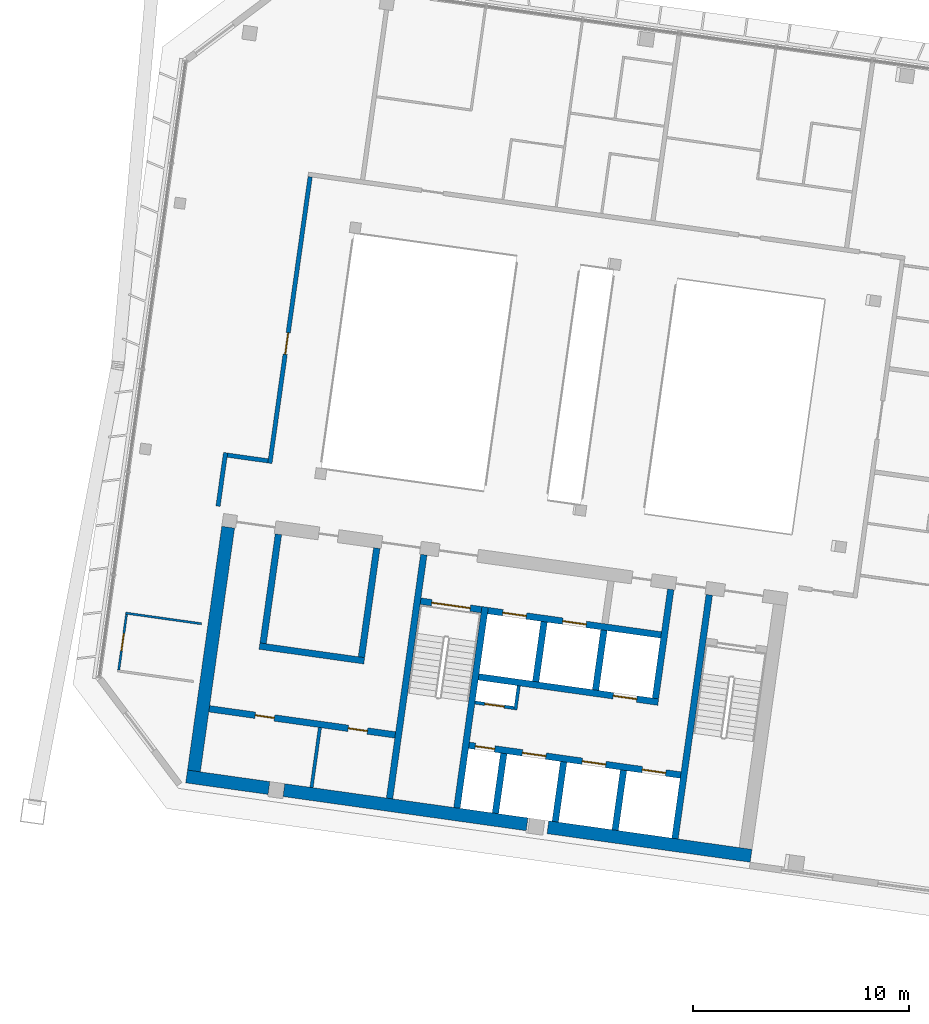
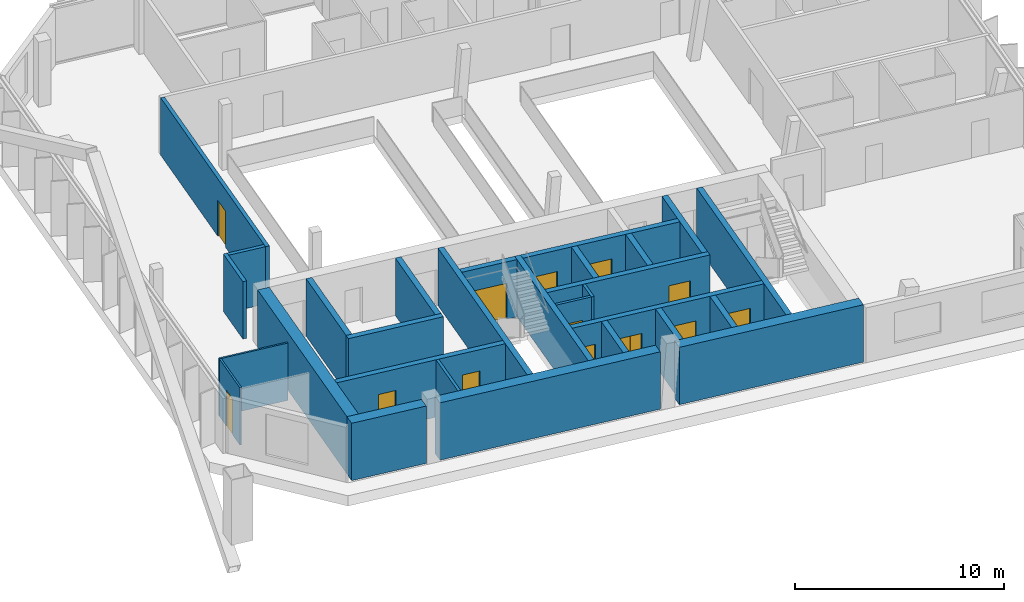
# One storey, part 11 of 19: 29 walls, 13 doors, 13 openings.
"""IFC4 building model written with IfcOpenShell, lengths in metres."""

from ifc_helpers import new_model, si_unit, direction, frame, frame_2d, origin, place, context, subcontext, project, spatial, rectangle, extrude, material, layer, layer_set, type_object, element, fill, save


model = new_model("IFC4")

# Units and contexts
model_context = context("Model", 3, precision=1e-05, world=origin(), true_north=direction((0.0, 1.0)))
body_context = subcontext(model_context, "Body", "Model", "MODEL_VIEW")
ifc_project = project(units=[si_unit("LENGTHUNIT", "METRE"), si_unit("AREAUNIT", "SQUARE_METRE"), si_unit("VOLUMEUNIT", "CUBIC_METRE"), si_unit("PLANEANGLEUNIT", "RADIAN"), si_unit("MASSUNIT", "GRAM", prefix="KILO")], contexts=[model_context])

# Site, building, storey
site_placement = place(None, origin())
site = spatial("IfcSite", under=ifc_project, at=site_placement, CompositionType="ELEMENT")
building_placement = place(site_placement, origin())
building = spatial("IfcBuilding", under=site, at=building_placement, Name="Mirante Cascada Hotel Towers", CompositionType="ELEMENT")
storey_placement = place(building_placement, frame((0.0, 0.0, 239.4)))
storey = spatial("IfcBuildingStorey", under=building, at=storey_placement, Name="L57", CompositionType="ELEMENT", Elevation=239.4)

# Wall
ifc_material_1 = material(Name="Fire-rated plasterboard on metal studs")
ifc_layer_1 = layer(ifc_material_1, 0.2)
ifc_layer_set_1 = layer_set([ifc_layer_1], Name="Compartment wall 200 EI 120")
wall_type_1 = type_object("IfcWallType", Name="Compartment wall 200 EI 120", PredefinedType="PARTITIONING", material=ifc_layer_set_1)
wall_1_placement = place(storey_placement, frame((-59.6861, -1.2613, 0.0), z_axis=(0.0, 0.0, 1.0), x_axis=(-0.9902701, 0.1391589, 0.0)))
element("IfcWall", 1, at=wall_1_placement, inside=storey, type_object=wall_type_1, Name="Wall 1-L57-06", PredefinedType="PARTITIONING", context=body_context, shape_type="SweptSolid", body=[
    extrude(rectangle(XDim=1.9, YDim=0.2, at=frame_2d((0.95, 0.0))), origin(), (0.0, 0.0, 1.0), 3.35),
])

# Wall, opening, door
wall_2_placement = place(storey_placement, frame((-57.7361, 11.8953, 0.0), z_axis=(0.0, 0.0, 1.0), x_axis=(-0.1391726, -0.9902681, 0.0)))
wall_2 = element("IfcWall", 2, at=wall_2_placement, inside=storey, type_object=wall_type_1, Name="Wall 1-L57-43", PredefinedType="PARTITIONING", context=body_context, shape_type="SweptSolid", body=[
    extrude(rectangle(XDim=13.3999, YDim=0.2, at=frame_2d((6.7, 0.0))), origin(), (0.0, 0.0, 1.0), 3.35),
])
opening_1_placement = place(wall_2_placement, frame((7.3, 0.0, 0.0)))
opening_1 = element("IfcOpeningElement", 3, at=opening_1_placement, cuts=wall_2, Name="Opening D1-L57-26", PredefinedType="OPENING", context=body_context, shape_type="SweptSolid", body=[
    extrude(rectangle(XDim=1.0, YDim=2.1, at=frame_2d((0.5, 1.05))), frame((0.0, 0.1, 0.0), z_axis=(0.0, -1.0, 0.0), x_axis=(1.0, 0.0, 0.0)), (0.0, 0.0, 1.0), 0.2),
])
ifc_material_2 = material(Name="Fire-rated timber door leaf", Category="wood")
door_type_1 = type_object("IfcDoorType", Name="Entrance door DG1 1000x2100 EI 60", OperationType="SINGLE_SWING_LEFT", PredefinedType="DOOR", material=ifc_material_2)
door_1_placement = place(opening_1_placement, frame((1.0, 0.0, 0.0), z_axis=(0.0, 0.0, 1.0), x_axis=(-1.0, 0.0, 0.0)))
door_1 = element("IfcDoor", 4, at=door_1_placement, inside=storey, type_object=door_type_1, Name="Door D1-L57-26", OperationType="SINGLE_SWING_RIGHT", OverallHeight=2.1, OverallWidth=1.0, PredefinedType="DOOR", context=body_context, shape_type="SweptSolid", body=[
    extrude(rectangle(XDim=1.0, YDim=2.1, at=frame_2d((0.5, 1.05))), frame((0.0, 0.025, 0.0), z_axis=(0.0, -1.0, 0.0), x_axis=(1.0, 0.0, 0.0)), (0.0, 0.0, 1.0), 0.05),
])
fill(opening_1, door_1)

# Walls
wall_3_placement = place(storey_placement, frame((-62.0006, -3.3596, 0.0), z_axis=(0.0, 0.0, 1.0), x_axis=(0.1391586, 0.9902701, 0.0)))
element("IfcWall", 5, at=wall_3_placement, inside=storey, type_object=wall_type_1, Name="Wall 1-L57-44", PredefinedType="PARTITIONING", context=body_context, shape_type="SweptSolid", body=[
    extrude(rectangle(XDim=2.5, YDim=0.2, at=frame_2d((1.25, 0.0))), origin(), (0.0, 0.0, 1.0), 3.35),
])
ifc_material_3 = material(Name="Masonry block", Category="masonry")
ifc_layer_2 = layer(ifc_material_3, 0.15)
ifc_layer_set_2 = layer_set([ifc_layer_2], Name="Core room partition 150 block EI 30")
wall_type_2 = type_object("IfcWallType", Name="Core room partition 150 block EI 30", PredefinedType="PARTITIONING", material=ifc_layer_set_2)
wall_4_placement = place(storey_placement, frame((-48.2295, -12.793, 0.0), z_axis=(0.0, 0.0, 1.0), x_axis=(0.1391935, 0.9902652, 0.0)))
element("IfcWall", 6, at=wall_4_placement, inside=storey, type_object=wall_type_2, Name="Core wall partition T1 L57 2", PredefinedType="PARTITIONING", context=body_context, shape_type="SweptSolid", body=[
    extrude(rectangle(XDim=1.1251, YDim=0.15, at=frame_2d((0.5626, 0.0))), origin(), (0.0, 0.0, 1.0), 3.35),
])

# Wall, opening, door
wall_5_placement = place(storey_placement, frame((-48.2933, -12.7083, 0.0), z_axis=(0.0, 0.0, 1.0), x_axis=(-0.990268, 0.1391734, 0.0)))
wall_5 = element("IfcWall", 7, at=wall_5_placement, inside=storey, type_object=wall_type_2, Name="Core wall partition T1 L57 3", PredefinedType="PARTITIONING", context=body_context, shape_type="SweptSolid", body=[
    extrude(rectangle(XDim=1.8251, YDim=0.15, at=frame_2d((0.9126, 0.0))), origin(), (0.0, 0.0, 1.0), 3.35),
])
opening_2_placement = place(wall_5_placement, frame((0.4625, 0.0, 0.0)))
opening_2 = element("IfcOpeningElement", 8, at=opening_2_placement, cuts=wall_5, Name="Opening D1-57-C15", PredefinedType="OPENING", context=body_context, shape_type="SweptSolid", body=[
    extrude(rectangle(XDim=0.9, YDim=2.1, at=frame_2d((0.45, 1.05))), frame((0.0, 0.075, 0.0), z_axis=(0.0, -1.0, 0.0), x_axis=(1.0, 0.0, 0.0)), (0.0, 0.0, 1.0), 0.15),
])
ifc_material_4 = material(Name="Hollow metal fire door leaf")
door_type_2 = type_object("IfcDoorType", Name="Fire door 900x2100 FD60", OperationType="NOTDEFINED", PredefinedType="DOOR", material=ifc_material_4)
door_2_placement = place(opening_2_placement, origin())
door_2 = element("IfcDoor", 9, at=door_2_placement, inside=storey, type_object=door_type_2, Name="Riser door T1 L57 15", OperationType="SINGLE_SWING_LEFT", OverallHeight=2.1, OverallWidth=0.9, PredefinedType="DOOR", context=body_context, shape_type="SweptSolid", body=[
    extrude(rectangle(XDim=0.9, YDim=2.1, at=frame_2d((0.45, 1.05))), frame((0.0, 0.025, 0.0), z_axis=(0.0, -1.0, 0.0), x_axis=(1.0, 0.0, 0.0)), (0.0, 0.0, 1.0), 0.05),
])
fill(opening_2, door_2)

# Wall
wall_6_placement = place(storey_placement, frame((-57.6718, -16.3889, 0.0), z_axis=(0.0, 0.0, 1.0), x_axis=(0.139141, 0.9902726, 0.0)))
element("IfcWall", 10, at=wall_6_placement, inside=storey, type_object=wall_type_2, Name="Core wall partition T1 L57 5", PredefinedType="PARTITIONING", context=body_context, shape_type="SweptSolid", body=[
    extrude(rectangle(XDim=2.8, YDim=0.15, at=frame_2d((1.4, 0.0))), origin(), (0.0, 0.0, 1.0), 3.35),
])

# Wall, openings, doors
ifc_material_5 = material(Name="Masonry block", Category="masonry")
ifc_layer_3 = layer(ifc_material_5, 0.3)
ifc_layer_set_3 = layer_set([ifc_layer_3], Name="Core wall 300 block EI 120")
wall_type_3 = type_object("IfcWallType", Name="Core wall 300 block EI 120", PredefinedType="PARTITIONING", material=ifc_layer_set_3)
wall_7_placement = place(storey_placement, frame((-53.7953, -13.9547, 0.0), z_axis=(0.0, 0.0, 1.0), x_axis=(-0.9902683, 0.1391714, 0.0)))
wall_7 = element("IfcWall", 11, at=wall_7_placement, inside=storey, type_object=wall_type_3, Name="Core wall partition T1 L57 4", PredefinedType="PARTITIONING", context=body_context, shape_type="SweptSolid", body=[
    extrude(rectangle(XDim=8.7001, YDim=0.3, at=frame_2d((4.3501, 0.0))), origin(), (0.0, 0.0, 1.0), 3.35),
])
opening_3_placement = place(wall_7_placement, frame((1.3, 0.0, 0.0)))
opening_3 = element("IfcOpeningElement", 12, at=opening_3_placement, cuts=wall_7, Name="Opening D1-57-C17", PredefinedType="OPENING", context=body_context, shape_type="SweptSolid", body=[
    extrude(rectangle(XDim=0.9, YDim=2.1, at=frame_2d((0.45, 1.05))), frame((0.0, 0.15, 0.0), z_axis=(0.0, -1.0, 0.0), x_axis=(1.0, 0.0, 0.0)), (0.0, 0.0, 1.0), 0.3),
])
opening_4_placement = place(wall_7_placement, frame((5.65, 0.0, 0.0)))
opening_4 = element("IfcOpeningElement", 13, at=opening_4_placement, cuts=wall_7, Name="Opening D1-57-C18", PredefinedType="OPENING", context=body_context, shape_type="SweptSolid", body=[
    extrude(rectangle(XDim=0.9, YDim=2.1, at=frame_2d((0.45, 1.05))), frame((0.0, 0.15, 0.0), z_axis=(0.0, -1.0, 0.0), x_axis=(1.0, 0.0, 0.0)), (0.0, 0.0, 1.0), 0.3),
])
door_3_placement = place(opening_3_placement, origin())
door_3 = element("IfcDoor", 14, at=door_3_placement, inside=storey, type_object=door_type_2, Name="Room door T1 L57 17", OperationType="SINGLE_SWING_RIGHT", OverallHeight=2.1, OverallWidth=0.9, PredefinedType="DOOR", context=body_context, shape_type="SweptSolid", body=[
    extrude(rectangle(XDim=0.9, YDim=2.1, at=frame_2d((0.45, 1.05))), frame((0.0, 0.025, 0.0), z_axis=(0.0, -1.0, 0.0), x_axis=(1.0, 0.0, 0.0)), (0.0, 0.0, 1.0), 0.05),
])
fill(opening_3, door_3)
door_4_placement = place(opening_4_placement, origin())
door_4 = element("IfcDoor", 15, at=door_4_placement, inside=storey, type_object=door_type_2, Name="Room door T1 L57 18", OperationType="SINGLE_SWING_LEFT", OverallHeight=2.1, OverallWidth=0.9, PredefinedType="DOOR", context=body_context, shape_type="SweptSolid", body=[
    extrude(rectangle(XDim=0.9, YDim=2.1, at=frame_2d((0.45, 1.05))), frame((0.0, 0.025, 0.0), z_axis=(0.0, -1.0, 0.0), x_axis=(1.0, 0.0, 0.0)), (0.0, 0.0, 1.0), 0.05),
])
fill(opening_4, door_4)

# Wall
ifc_material_6 = material(Name="Plasterboard on metal studs")
ifc_layer_4 = layer(ifc_material_6, 0.1)
ifc_layer_set_4 = layer_set([ifc_layer_4], Name="Partition 100")
wall_type_4 = type_object("IfcWallType", Name="Partition 100", PredefinedType="PARTITIONING", material=ifc_layer_set_4)
wall_8_placement = place(storey_placement, frame((-66.2816, -8.312, 0.0), z_axis=(0.0, 0.0, 1.0), x_axis=(0.990267, -0.139181, 0.0)))
element("IfcWall", 16, at=wall_8_placement, inside=storey, type_object=wall_type_4, Name="Wall 1-L57-03", PredefinedType="PARTITIONING", context=body_context, shape_type="SweptSolid", body=[
    extrude(rectangle(XDim=3.5501, YDim=0.1, at=frame_2d((1.775, 0.0))), origin(), (0.0, 0.0, 1.0), 3.35),
])

# Wall, opening, door
wall_9_placement = place(storey_placement, frame((-66.239, -8.3685, 0.0), z_axis=(0.0, 0.0, 1.0), x_axis=(-0.1391541, -0.9902707, 0.0)))
wall_9 = element("IfcWall", 17, at=wall_9_placement, inside=storey, type_object=wall_type_4, Name="Wall 1-L57-45", PredefinedType="PARTITIONING", context=body_context, shape_type="SweptSolid", body=[
    extrude(rectangle(XDim=2.6, YDim=0.1, at=frame_2d((1.3, 0.0))), origin(), (0.0, 0.0, 1.0), 3.35),
])
opening_5_placement = place(wall_9_placement, frame((0.9, 0.0, 0.0)))
opening_5 = element("IfcOpeningElement", 18, at=opening_5_placement, cuts=wall_9, Name="Opening D1-L57-27", PredefinedType="OPENING", context=body_context, shape_type="SweptSolid", body=[
    extrude(rectangle(XDim=0.8, YDim=2.1, at=frame_2d((0.4, 1.05))), frame((0.0, 0.05, 0.0), z_axis=(0.0, -1.0, 0.0), x_axis=(1.0, 0.0, 0.0)), (0.0, 0.0, 1.0), 0.1),
])
ifc_material_7 = material(Name="Timber door leaf", Category="wood")
door_type_3 = type_object("IfcDoorType", Name="Bathroom door DG4 800x2100", OperationType="SINGLE_SWING_LEFT", PredefinedType="DOOR", material=ifc_material_7)
door_5_placement = place(opening_5_placement, origin())
door_5 = element("IfcDoor", 19, at=door_5_placement, inside=storey, type_object=door_type_3, Name="Door D1-L57-27", OperationType="SINGLE_SWING_LEFT", OverallHeight=2.1, OverallWidth=0.8, PredefinedType="DOOR", context=body_context, shape_type="SweptSolid", body=[
    extrude(rectangle(XDim=0.8, YDim=2.1, at=frame_2d((0.4, 1.05))), frame((0.0, 0.025, 0.0), z_axis=(0.0, -1.0, 0.0), x_axis=(1.0, 0.0, 0.0)), (0.0, 0.0, 1.0), 0.05),
])
fill(opening_5, door_5)

# Walls
ifc_material_8 = material(Name="Concrete C50/60", Category="concrete")
ifc_layer_5 = layer(ifc_material_8, 0.3)
ifc_layer_set_5 = layer_set([ifc_layer_5], Name="RC core wall 300 C50/60")
wall_type_5 = type_object("IfcWallType", Name="RC core wall 300 C50/60", PredefinedType="SHEAR", material=ifc_layer_set_5)
wall_10_placement = place(storey_placement, frame((-40.8373, -18.7548, 0.0), z_axis=(0.0, 0.0, 1.0), x_axis=(0.1391749, 0.9902678, 0.0)))
element("IfcWall", 20, at=wall_10_placement, inside=storey, type_object=wall_type_5, Name="Core wall T1:L57:5", PredefinedType="SHEAR", context=body_context, shape_type="SweptSolid", body=[
    extrude(rectangle(XDim=11.4, YDim=0.3, at=frame_2d((5.7, 0.0))), origin(), (0.0, 0.0, 1.0), 3.35),
])
wall_11_placement = place(storey_placement, frame((-50.938, -17.3352, 0.0), z_axis=(0.0, 0.0, 1.0), x_axis=(0.1391706, 0.9902684, 0.0)))
element("IfcWall", 21, at=wall_11_placement, inside=storey, type_object=wall_type_5, Name="Core wall T1:L57:6", PredefinedType="SHEAR", context=body_context, shape_type="SweptSolid", body=[
    extrude(rectangle(XDim=9.4, YDim=0.3, at=frame_2d((4.7, 0.0))), origin(), (0.0, 0.0, 1.0), 3.35),
])
wall_12_placement = place(storey_placement, frame((-54.0574, -16.8968, 0.0), z_axis=(0.0, 0.0, 1.0), x_axis=(0.1391761, 0.9902677, 0.0)))
element("IfcWall", 22, at=wall_12_placement, inside=storey, type_object=wall_type_5, Name="Core wall T1:L57:7", PredefinedType="SHEAR", context=body_context, shape_type="SweptSolid", body=[
    extrude(rectangle(XDim=11.3999, YDim=0.3, at=frame_2d((5.7, 0.0))), origin(), (0.0, 0.0, 1.0), 3.35),
])

# Wall, opening, door
wall_13_placement = place(storey_placement, frame((-49.7992, -8.1544, 0.0), z_axis=(0.0, 0.0, 1.0), x_axis=(-0.9902656, 0.1391909, 0.0)))
wall_13 = element("IfcWall", 23, at=wall_13_placement, inside=storey, type_object=wall_type_5, Name="Core wall T1:L57:9", PredefinedType="SHEAR", context=body_context, shape_type="SweptSolid", body=[
    extrude(rectangle(XDim=2.85, YDim=0.3, at=frame_2d((1.425, 0.0))), origin(), (0.0, 0.0, 1.0), 3.35),
])
opening_6_placement = place(wall_13_placement, frame((0.525, 0.0, 0.0)))
opening_6 = element("IfcOpeningElement", 24, at=opening_6_placement, cuts=wall_13, Name="Opening D1-57-C09", PredefinedType="OPENING", context=body_context, shape_type="SweptSolid", body=[
    extrude(rectangle(XDim=1.8, YDim=2.1, at=frame_2d((0.9, 1.05))), frame((0.0, 0.15, 0.0), z_axis=(0.0, -1.0, 0.0), x_axis=(1.0, 0.0, 0.0)), (0.0, 0.0, 1.0), 0.3),
])
ifc_material_9 = material(Name="Hollow metal fire door leaf")
door_type_4 = type_object("IfcDoorType", Name="Double fire door 1800x2100 FD60", OperationType="DOUBLE_DOOR_SINGLE_SWING", PredefinedType="DOOR", material=ifc_material_9)
door_6_placement = place(opening_6_placement, origin())
door_6 = element("IfcDoor", 25, at=door_6_placement, inside=storey, type_object=door_type_4, Name="Stair door T1 L57 9", OperationType="DOUBLE_DOOR_SINGLE_SWING", OverallHeight=2.1, OverallWidth=1.8, PredefinedType="DOOR", context=body_context, shape_type="SweptSolid", body=[
    extrude(rectangle(XDim=0.895, YDim=2.1, at=frame_2d((0.4475, 1.05))), frame((0.0, 0.025, 0.0), z_axis=(0.0, -1.0, 0.0), x_axis=(1.0, 0.0, 0.0)), (0.0, 0.0, 1.0), 0.05),
    extrude(rectangle(XDim=0.895, YDim=2.1, at=frame_2d((1.3525, 1.05))), frame((0.0, 0.025, 0.0), z_axis=(0.0, -1.0, 0.0), x_axis=(1.0, 0.0, 0.0)), (0.0, 0.0, 1.0), 0.05),
])
fill(opening_6, door_6)

# Wall, openings, doors
wall_14_placement = place(storey_placement, frame((-40.5753, -15.8126, 0.0), z_axis=(0.0, 0.0, 1.0), x_axis=(-0.9902682, 0.1391725, 0.0)))
wall_14 = element("IfcWall", 26, at=wall_14_placement, inside=storey, type_object=wall_type_5, Name="Core wall T1:L57:10", PredefinedType="SHEAR", context=body_context, shape_type="SweptSolid", body=[
    extrude(rectangle(XDim=9.8999, YDim=0.3, at=frame_2d((4.95, 0.0))), origin(), (0.0, 0.0, 1.0), 3.35),
])
opening_7_placement = place(wall_14_placement, frame((0.7, 0.0, 0.0)))
opening_7 = element("IfcOpeningElement", 27, at=opening_7_placement, cuts=wall_14, Name="Opening LD", PredefinedType="OPENING", context=body_context, shape_type="SweptSolid", body=[
    extrude(rectangle(XDim=1.1, YDim=2.1, at=frame_2d((0.55, 1.05))), frame((0.0, 0.15, 0.0), z_axis=(0.0, -1.0, 0.0), x_axis=(1.0, 0.0, 0.0)), (0.0, 0.0, 1.0), 0.3),
])
opening_8_placement = place(wall_14_placement, frame((3.5, 0.0, 0.0)))
opening_8 = element("IfcOpeningElement", 28, at=opening_8_placement, cuts=wall_14, Name="Opening LD", PredefinedType="OPENING", context=body_context, shape_type="SweptSolid", body=[
    extrude(rectangle(XDim=1.1, YDim=2.1, at=frame_2d((0.55, 1.05))), frame((0.0, 0.15, 0.0), z_axis=(0.0, -1.0, 0.0), x_axis=(1.0, 0.0, 0.0)), (0.0, 0.0, 1.0), 0.3),
])
opening_9_placement = place(wall_14_placement, frame((6.3, 0.0, 0.0)))
opening_9 = element("IfcOpeningElement", 29, at=opening_9_placement, cuts=wall_14, Name="Opening LD", PredefinedType="OPENING", context=body_context, shape_type="SweptSolid", body=[
    extrude(rectangle(XDim=1.1, YDim=2.1, at=frame_2d((0.55, 1.05))), frame((0.0, 0.15, 0.0), z_axis=(0.0, -1.0, 0.0), x_axis=(1.0, 0.0, 0.0)), (0.0, 0.0, 1.0), 0.3),
])
opening_10_placement = place(wall_14_placement, frame((8.7, 0.0, 0.0)))
opening_10 = element("IfcOpeningElement", 30, at=opening_10_placement, cuts=wall_14, Name="Opening D1-57-C14", PredefinedType="OPENING", context=body_context, shape_type="SweptSolid", body=[
    extrude(rectangle(XDim=0.9, YDim=2.1, at=frame_2d((0.45, 1.05))), frame((0.0, 0.15, 0.0), z_axis=(0.0, -1.0, 0.0), x_axis=(1.0, 0.0, 0.0)), (0.0, 0.0, 1.0), 0.3),
])
door_7_placement = place(opening_10_placement, origin())
door_7 = element("IfcDoor", 31, at=door_7_placement, inside=storey, type_object=door_type_2, Name="Riser door T1 L57 14", OperationType="SINGLE_SWING_LEFT", OverallHeight=2.1, OverallWidth=0.9, PredefinedType="DOOR", context=body_context, shape_type="SweptSolid", body=[
    extrude(rectangle(XDim=0.9, YDim=2.1, at=frame_2d((0.45, 1.05))), frame((0.0, 0.025, 0.0), z_axis=(0.0, -1.0, 0.0), x_axis=(1.0, 0.0, 0.0)), (0.0, 0.0, 1.0), 0.05),
])
fill(opening_10, door_7)
ifc_material_10 = material(Name="Stainless steel", Category="steel")
door_type_5 = type_object("IfcDoorType", Name="Lift landing door 1100x2100 EI 120", OperationType="DOUBLE_DOOR_SLIDING", PredefinedType="DOOR", material=ifc_material_10)
door_8_placement = place(opening_7_placement, origin())
door_8 = element("IfcDoor", 32, at=door_8_placement, inside=storey, type_object=door_type_5, Name="Lift landing door HR1-1 L57", OperationType="DOUBLE_DOOR_SLIDING", OverallHeight=2.1, OverallWidth=1.1, PredefinedType="DOOR", context=body_context, shape_type="SweptSolid", body=[
    extrude(rectangle(XDim=0.545, YDim=2.1, at=frame_2d((0.2725, 1.05))), frame((0.0, 0.025, 0.0), z_axis=(0.0, -1.0, 0.0), x_axis=(1.0, 0.0, 0.0)), (0.0, 0.0, 1.0), 0.05),
    extrude(rectangle(XDim=0.545, YDim=2.1, at=frame_2d((0.8275, 1.05))), frame((0.0, 0.025, 0.0), z_axis=(0.0, -1.0, 0.0), x_axis=(1.0, 0.0, 0.0)), (0.0, 0.0, 1.0), 0.05),
])
fill(opening_7, door_8)
door_9_placement = place(opening_8_placement, origin())
door_9 = element("IfcDoor", 33, at=door_9_placement, inside=storey, type_object=door_type_5, Name="Lift landing door HR1-2 L57", OperationType="DOUBLE_DOOR_SLIDING", OverallHeight=2.1, OverallWidth=1.1, PredefinedType="DOOR", context=body_context, shape_type="SweptSolid", body=[
    extrude(rectangle(XDim=0.545, YDim=2.1, at=frame_2d((0.2725, 1.05))), frame((0.0, 0.025, 0.0), z_axis=(0.0, -1.0, 0.0), x_axis=(1.0, 0.0, 0.0)), (0.0, 0.0, 1.0), 0.05),
    extrude(rectangle(XDim=0.545, YDim=2.1, at=frame_2d((0.8275, 1.05))), frame((0.0, 0.025, 0.0), z_axis=(0.0, -1.0, 0.0), x_axis=(1.0, 0.0, 0.0)), (0.0, 0.0, 1.0), 0.05),
])
fill(opening_8, door_9)
door_10_placement = place(opening_9_placement, origin())
door_10 = element("IfcDoor", 34, at=door_10_placement, inside=storey, type_object=door_type_5, Name="Lift landing door HR1-3 L57", OperationType="DOUBLE_DOOR_SLIDING", OverallHeight=2.1, OverallWidth=1.1, PredefinedType="DOOR", context=body_context, shape_type="SweptSolid", body=[
    extrude(rectangle(XDim=0.545, YDim=2.1, at=frame_2d((0.2725, 1.05))), frame((0.0, 0.025, 0.0), z_axis=(0.0, -1.0, 0.0), x_axis=(1.0, 0.0, 0.0)), (0.0, 0.0, 1.0), 0.05),
    extrude(rectangle(XDim=0.545, YDim=2.1, at=frame_2d((0.8275, 1.05))), frame((0.0, 0.025, 0.0), z_axis=(0.0, -1.0, 0.0), x_axis=(1.0, 0.0, 0.0)), (0.0, 0.0, 1.0), 0.05),
])
fill(opening_9, door_10)

# Wall, opening, door
wall_15_placement = place(storey_placement, frame((-41.6153, -12.435, 0.0), z_axis=(0.0, 0.0, 1.0), x_axis=(-0.9902691, 0.139166, 0.0)))
wall_15 = element("IfcWall", 35, at=wall_15_placement, inside=storey, type_object=wall_type_5, Name="Core wall T1:L57:11", PredefinedType="SHEAR", context=body_context, shape_type="SweptSolid", body=[
    extrude(rectangle(XDim=8.4, YDim=0.3, at=frame_2d((4.2, 0.0))), origin(), (0.0, 0.0, 1.0), 3.35),
])
opening_11_placement = place(wall_15_placement, frame((1.0, 0.0, 0.0)))
opening_11 = element("IfcOpeningElement", 36, at=opening_11_placement, cuts=wall_15, Name="Opening LD", PredefinedType="OPENING", context=body_context, shape_type="SweptSolid", body=[
    extrude(rectangle(XDim=1.1, YDim=2.1, at=frame_2d((0.55, 1.05))), frame((0.0, 0.15, 0.0), z_axis=(0.0, -1.0, 0.0), x_axis=(1.0, 0.0, 0.0)), (0.0, 0.0, 1.0), 0.3),
])
door_11_placement = place(opening_11_placement, origin())
door_11 = element("IfcDoor", 37, at=door_11_placement, inside=storey, type_object=door_type_5, Name="Lift landing door HR1-4 L57", OperationType="DOUBLE_DOOR_SLIDING", OverallHeight=2.1, OverallWidth=1.1, PredefinedType="DOOR", context=body_context, shape_type="SweptSolid", body=[
    extrude(rectangle(XDim=0.545, YDim=2.1, at=frame_2d((0.2725, 1.05))), frame((0.0, 0.025, 0.0), z_axis=(0.0, -1.0, 0.0), x_axis=(1.0, 0.0, 0.0)), (0.0, 0.0, 1.0), 0.05),
    extrude(rectangle(XDim=0.545, YDim=2.1, at=frame_2d((0.8275, 1.05))), frame((0.0, 0.025, 0.0), z_axis=(0.0, -1.0, 0.0), x_axis=(1.0, 0.0, 0.0)), (0.0, 0.0, 1.0), 0.05),
])
fill(opening_11, door_11)

# Wall, openings, doors
wall_16_placement = place(storey_placement, frame((-41.481, -9.3234, 0.0), z_axis=(0.0, 0.0, 1.0), x_axis=(-0.9902679, 0.1391741, 0.0)))
wall_16 = element("IfcWall", 38, at=wall_16_placement, inside=storey, type_object=wall_type_5, Name="Core wall T1:L57:12", PredefinedType="SHEAR", context=body_context, shape_type="SweptSolid", body=[
    extrude(rectangle(XDim=8.0999, YDim=0.3, at=frame_2d((4.05, 0.0))), origin(), (0.0, 0.0, 1.0), 3.35),
])
opening_12_placement = place(wall_16_placement, frame((3.5, 0.0, 0.0)))
opening_12 = element("IfcOpeningElement", 39, at=opening_12_placement, cuts=wall_16, Name="Opening LD", PredefinedType="OPENING", context=body_context, shape_type="SweptSolid", body=[
    extrude(rectangle(XDim=1.1, YDim=2.1, at=frame_2d((0.55, 1.05))), frame((0.0, 0.15, 0.0), z_axis=(0.0, -1.0, 0.0), x_axis=(1.0, 0.0, 0.0)), (0.0, 0.0, 1.0), 0.3),
])
opening_13_placement = place(wall_16_placement, frame((6.3, 0.0, 0.0)))
opening_13 = element("IfcOpeningElement", 40, at=opening_13_placement, cuts=wall_16, Name="Opening LD", PredefinedType="OPENING", context=body_context, shape_type="SweptSolid", body=[
    extrude(rectangle(XDim=1.1, YDim=2.1, at=frame_2d((0.55, 1.05))), frame((0.0, 0.15, 0.0), z_axis=(0.0, -1.0, 0.0), x_axis=(1.0, 0.0, 0.0)), (0.0, 0.0, 1.0), 0.3),
])
door_12_placement = place(opening_12_placement, origin())
door_12 = element("IfcDoor", 41, at=door_12_placement, inside=storey, type_object=door_type_5, Name="Lift landing door FF1 L57", OperationType="DOUBLE_DOOR_SLIDING", OverallHeight=2.1, OverallWidth=1.1, PredefinedType="DOOR", context=body_context, shape_type="SweptSolid", body=[
    extrude(rectangle(XDim=0.545, YDim=2.1, at=frame_2d((0.2725, 1.05))), frame((0.0, 0.025, 0.0), z_axis=(0.0, -1.0, 0.0), x_axis=(1.0, 0.0, 0.0)), (0.0, 0.0, 1.0), 0.05),
    extrude(rectangle(XDim=0.545, YDim=2.1, at=frame_2d((0.8275, 1.05))), frame((0.0, 0.025, 0.0), z_axis=(0.0, -1.0, 0.0), x_axis=(1.0, 0.0, 0.0)), (0.0, 0.0, 1.0), 0.05),
])
fill(opening_12, door_12)
door_13_placement = place(opening_13_placement, origin())
door_13 = element("IfcDoor", 42, at=door_13_placement, inside=storey, type_object=door_type_5, Name="Lift landing door FF2 L57", OperationType="DOUBLE_DOOR_SLIDING", OverallHeight=2.1, OverallWidth=1.1, PredefinedType="DOOR", context=body_context, shape_type="SweptSolid", body=[
    extrude(rectangle(XDim=0.545, YDim=2.1, at=frame_2d((0.2725, 1.05))), frame((0.0, 0.025, 0.0), z_axis=(0.0, -1.0, 0.0), x_axis=(1.0, 0.0, 0.0)), (0.0, 0.0, 1.0), 0.05),
    extrude(rectangle(XDim=0.545, YDim=2.1, at=frame_2d((0.8275, 1.05))), frame((0.0, 0.025, 0.0), z_axis=(0.0, -1.0, 0.0), x_axis=(1.0, 0.0, 0.0)), (0.0, 0.0, 1.0), 0.05),
])
fill(opening_13, door_13)

# Walls
wall_17_placement = place(storey_placement, frame((-43.61, -18.3651, 0.0), z_axis=(0.0, 0.0, 1.0), x_axis=(0.1391459, 0.9902719, 0.0)))
element("IfcWall", 43, at=wall_17_placement, inside=storey, type_object=wall_type_5, Name="Core wall T1:L57:13", PredefinedType="SHEAR", context=body_context, shape_type="SweptSolid", body=[
    extrude(rectangle(XDim=2.7999, YDim=0.3, at=frame_2d((1.4, 0.0))), origin(), (0.0, 0.0, 1.0), 3.35),
])
wall_18_placement = place(storey_placement, frame((-46.3828, -17.9754, 0.0), z_axis=(0.0, 0.0, 1.0), x_axis=(0.139181, 0.990267, 0.0)))
element("IfcWall", 44, at=wall_18_placement, inside=storey, type_object=wall_type_5, Name="Core wall T1:L57:14", PredefinedType="SHEAR", context=body_context, shape_type="SweptSolid", body=[
    extrude(rectangle(XDim=2.8, YDim=0.3, at=frame_2d((1.4, 0.0))), origin(), (0.0, 0.0, 1.0), 3.35),
])
wall_19_placement = place(storey_placement, frame((-49.1555, -17.5857, 0.0), z_axis=(0.0, 0.0, 1.0), x_axis=(0.1391459, 0.9902719, 0.0)))
element("IfcWall", 45, at=wall_19_placement, inside=storey, type_object=wall_type_5, Name="Core wall T1:L57:15", PredefinedType="SHEAR", context=body_context, shape_type="SweptSolid", body=[
    extrude(rectangle(XDim=2.7999, YDim=0.3, at=frame_2d((1.4, 0.0))), origin(), (0.0, 0.0, 1.0), 3.35),
])
for number, where, z_axis, x_axis, name in (
    (46, (-44.5157, -11.8759, 0.0), (0.0, 0.0, 1.0), (0.139181, 0.990267, 0.0), "Core wall T1:L57:16"),
    (47, (-47.2885, -11.4862, 0.0), (0.0, 0.0, 1.0), (0.139181, 0.990267, 0.0), "Core wall T1:L57:17"),
):
    element("IfcWall", number, at=place(storey_placement, frame(where, z_axis=z_axis, x_axis=x_axis)), inside=storey, type_object=wall_type_5, Name=name, PredefinedType="SHEAR", context=body_context, shape_type="SweptSolid", body=[
        extrude(rectangle(XDim=2.8, YDim=0.3, at=frame_2d((1.4, 0.0))), origin(), (0.0, 0.0, 1.0), 3.35),
    ])
wall_20_placement = place(storey_placement, frame((-41.743, -12.2656, 0.0), z_axis=(0.0, 0.0, 1.0), x_axis=(0.1391755, 0.9902677, 0.0)))
element("IfcWall", 48, at=wall_20_placement, inside=storey, type_object=wall_type_5, Name="Core wall T1:L57:18", PredefinedType="SHEAR", context=body_context, shape_type="SweptSolid", body=[
    extrude(rectangle(XDim=5.1, YDim=0.3, at=frame_2d((2.55, 0.0))), origin(), (0.0, 0.0, 1.0), 3.35),
])
wall_21_placement = place(storey_placement, frame((-55.2315, -10.5214, 0.0), z_axis=(0.0, 0.0, 1.0), x_axis=(-0.9902666, 0.1391838, 0.0)))
element("IfcWall", 49, at=wall_21_placement, inside=storey, type_object=wall_type_5, Name="Core wall T1:L57:24", PredefinedType="SHEAR", context=body_context, shape_type="SweptSolid", body=[
    extrude(rectangle(XDim=4.9, YDim=0.3, at=frame_2d((2.45, 0.0))), origin(), (0.0, 0.0, 1.0), 3.35),
])
for number, where, z_axis, x_axis, name in (
    (50, (-55.3592, -10.352, 0.0), (0.0, 0.0, 1.0), (0.1391755, 0.9902677, 0.0), "Core wall T1:L57:25"),
    (51, (-59.9144, -9.7118, 0.0), (0.0, 0.0, 1.0), (0.1391755, 0.9902677, 0.0), "Core wall T1:L57:26"),
):
    element("IfcWall", number, at=place(storey_placement, frame(where, z_axis=z_axis, x_axis=x_axis)), inside=storey, type_object=wall_type_5, Name=name, PredefinedType="SHEAR", context=body_context, shape_type="SweptSolid", body=[
        extrude(rectangle(XDim=5.1, YDim=0.3, at=frame_2d((2.55, 0.0))), origin(), (0.0, 0.0, 1.0), 3.35),
    ])
ifc_material_11 = material(Name="Concrete C50/60", Category="concrete")
ifc_layer_6 = layer(ifc_material_11, 0.6)
ifc_layer_set_6 = layer_set([ifc_layer_6], Name="RC core wall 600 C50/60")
wall_type_6 = type_object("IfcWallType", Name="RC core wall 600 C50/60", PredefinedType="SHEAR", material=ifc_layer_set_6)
wall_22_placement = place(storey_placement, frame((-37.3141, -19.5529, 0.0), z_axis=(0.0, 0.0, 1.0), x_axis=(-0.9902686, 0.1391692, 0.0)))
element("IfcWall", 52, at=wall_22_placement, inside=storey, type_object=wall_type_6, Name="Core wall T1:L57:1.1", PredefinedType="SHEAR", context=body_context, shape_type="SweptSolid", body=[
    extrude(rectangle(XDim=9.4999, YDim=0.6, at=frame_2d((4.75, 0.0))), origin(), (0.0, 0.0, 1.0), 3.35),
])
wall_23_placement = place(storey_placement, frame((-47.6904, -18.0946, 0.0), z_axis=(0.0, 0.0, 1.0), x_axis=(-0.9902684, 0.1391705, 0.0)))
element("IfcWall", 53, at=wall_23_placement, inside=storey, type_object=wall_type_6, Name="Core wall T1:L57:1.2", PredefinedType="SHEAR", context=body_context, shape_type="SweptSolid", body=[
    extrude(rectangle(XDim=11.3717, YDim=0.6, at=frame_2d((5.6858, 0.0))), origin(), (0.0, 0.0, 1.0), 3.35),
])
wall_24_placement = place(storey_placement, frame((-59.6446, -16.4145, 0.0), z_axis=(0.0, 0.0, 1.0), x_axis=(-0.9902685, 0.1391701, 0.0)))
element("IfcWall", 54, at=wall_24_placement, inside=storey, type_object=wall_type_6, Name="Core wall T1:L57:1.3", PredefinedType="SHEAR", context=body_context, shape_type="SweptSolid", body=[
    extrude(rectangle(XDim=3.85, YDim=0.6, at=frame_2d((1.925, 0.0))), origin(), (0.0, 0.0, 1.0), 3.35),
])
wall_25_placement = place(storey_placement, frame((-63.1183, -15.6234, 0.0), z_axis=(0.0, 0.0, 1.0), x_axis=(0.1391749, 0.9902678, 0.0)))
element("IfcWall", 55, at=wall_25_placement, inside=storey, type_object=wall_type_6, Name="Core wall T1:L57:4", PredefinedType="SHEAR", context=body_context, shape_type="SweptSolid", body=[
    extrude(rectangle(XDim=11.4, YDim=0.6, at=frame_2d((5.7, 0.0))), origin(), (0.0, 0.0, 1.0), 3.35),
])

save(model, "model.ifc")
